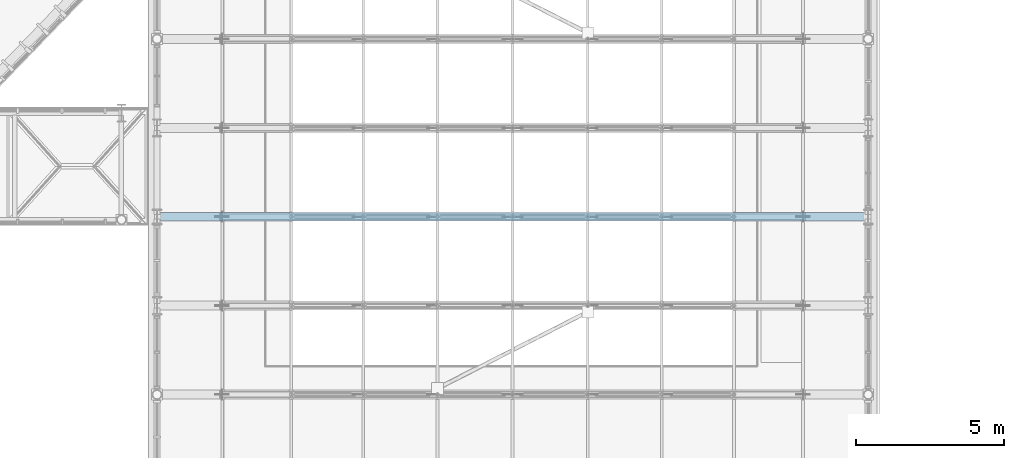
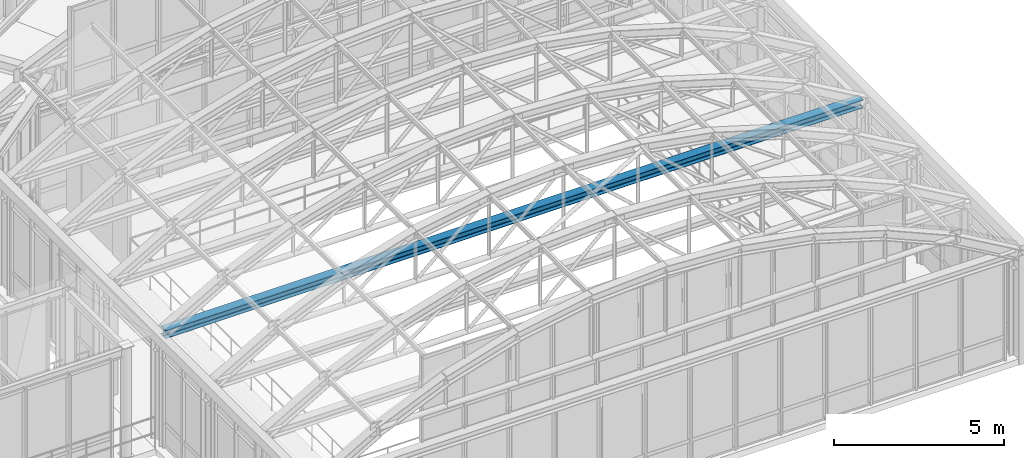
# One storey, part 61 of 148: 1 beam.
"""IFC4 building model written with IfcOpenShell, lengths in metres."""

from ifc_helpers import new_model, si_unit, direction, frame, origin, origin_2d, place, context, subcontext, project, spatial, i_section, extrude, material, material_profile, profile_set, type_object, element, save


model = new_model("IFC4")

# Units and contexts
model_context = context("Model", 3, precision=1e-05, world=origin(), true_north=direction((0.0, 1.0)))
body_context = subcontext(model_context, "Body", "Model", "MODEL_VIEW")
ifc_project = project(units=[si_unit("LENGTHUNIT", "METRE"), si_unit("AREAUNIT", "SQUARE_METRE"), si_unit("VOLUMEUNIT", "CUBIC_METRE"), si_unit("PLANEANGLEUNIT", "RADIAN"), si_unit("MASSUNIT", "GRAM", prefix="KILO"), si_unit("THERMODYNAMICTEMPERATUREUNIT", "KELVIN"), si_unit("POWERUNIT", "WATT")], contexts=[model_context])

# Site, building, storey
site_placement = place(None, origin())
site = spatial("IfcSite", under=ifc_project, at=site_placement, CompositionType="ELEMENT")
building_placement = place(site_placement, origin())
building = spatial("IfcBuilding", under=site, at=building_placement, Name="Solvatero Civic Police Headquarters", CompositionType="ELEMENT")
storey_placement = place(building_placement, frame((0.0, 0.0, 5.10009765625)))
storey = spatial("IfcBuildingStorey", under=building, at=storey_placement, Name="L01", CompositionType="ELEMENT", Elevation=5.10009765625)

# Beam
ifc_material = material(Name="Steel S355", Category="steel")
ifc_material_profile = material_profile(ifc_material, i_section(OverallWidth=0.300048828125, OverallDepth=0.2900390625, WebThickness=0.008544921875, FlangeThickness=0.013916015625, FilletRadius=0.027099609375, at=origin_2d()), Name="HEA 300")
ifc_profile_set = profile_set([ifc_material_profile], Name="Steel S355")
beam_type = type_object("IfcBeamType", Name="BM-ST-HEA300", PredefinedType="SPANDREL", material=ifc_profile_set)
beam_placement = place(storey_placement, frame((64.919921875, 50.5, 3.864013671875), z_axis=(1.0, 0.0, 0.0), x_axis=(0.0, 1.0, 0.0)))
element("IfcBeam", 1, at=beam_placement, inside=storey, type_object=beam_type, Name="VLT2 Barrel Vault Springing Tie Beam F4", PredefinedType="SPANDREL", context=body_context, shape_type="SweptSolid", body=[
    extrude(i_section(OverallWidth=0.300048828125, OverallDepth=0.2900390625, WebThickness=0.008544921875, FlangeThickness=0.013916015625, FilletRadius=0.027099609375, at=origin_2d()), origin(), (0.0, 0.0, 1.0), 23.719970703125),
])

save(model, "model.ifc")
